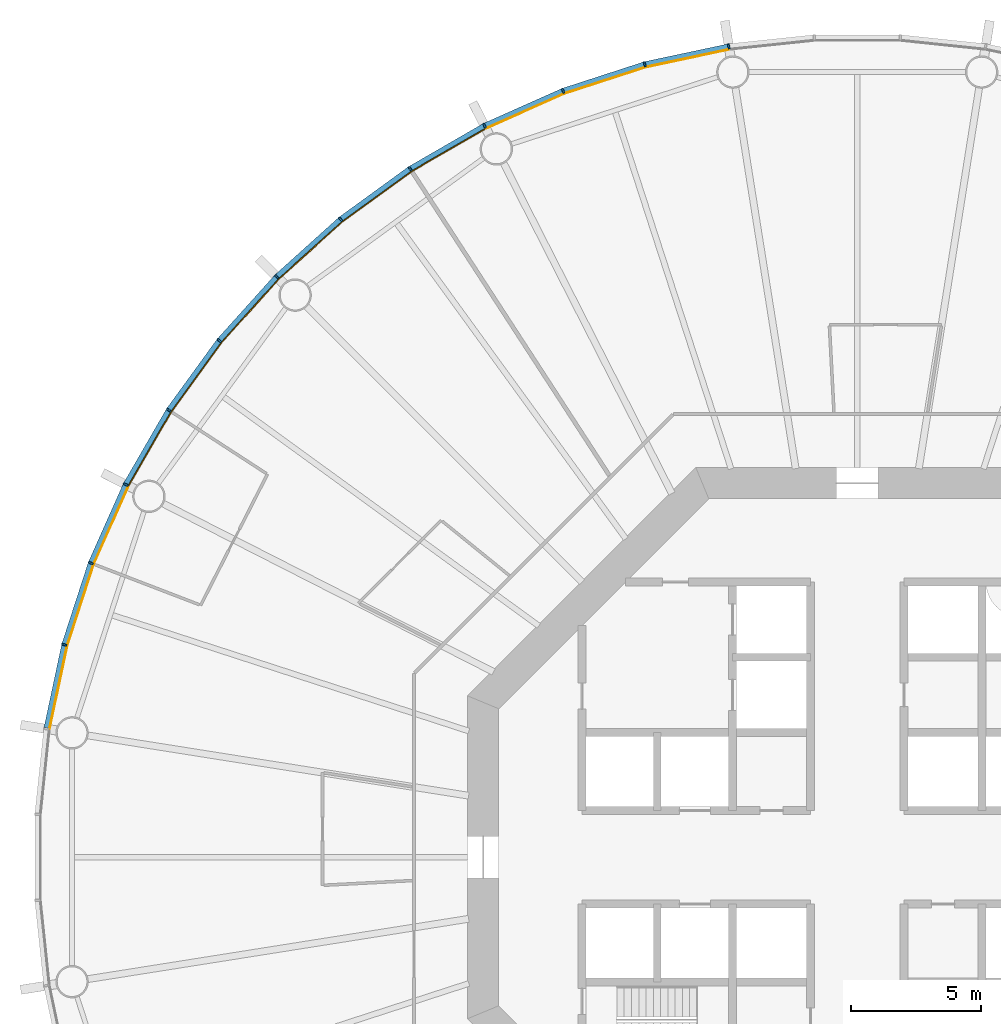
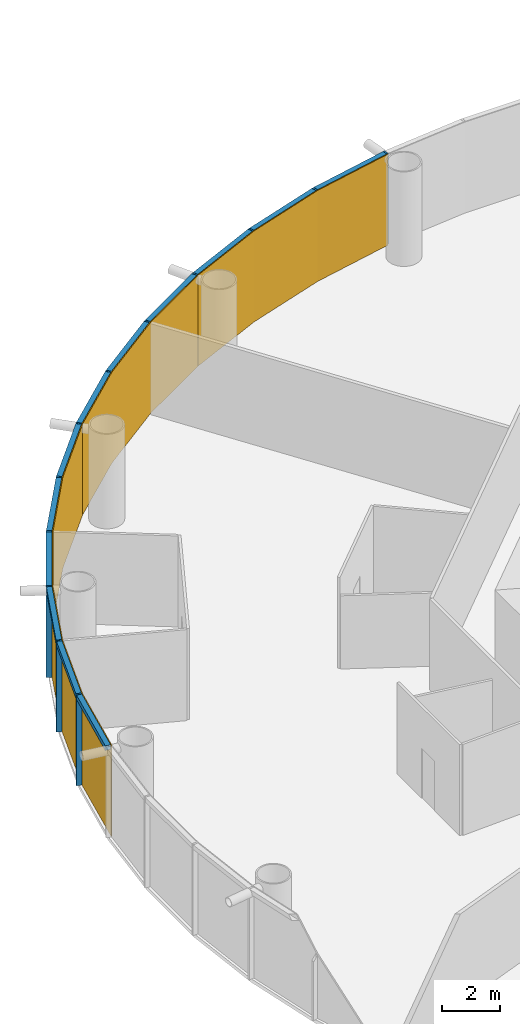
# One storey, part 10 of 13: 24 members, 4 curtain walls.
"""IFC4 building model written with IfcOpenShell, lengths in metres."""

import ifcopenshell
import ifcopenshell.guid

model = None  # the IFC model being written
_history = None  # IfcOwnerHistory: only IFC2X3 demands one
_inside = {}  # id of a spatial element -> (the spatial element, [elements in it])
_under = {}  # id of a project, library or spatial element -> (it, [spatial elements below it])
_declared = {}  # id of a project -> (the project, [libraries it declares])
_typed = {}  # id of a type object -> (the type object, [elements of that type])
_made_of = {}  # id of a material, layer set ... -> (it, [elements and type objects made of it])


def new_model(schema):
    """Start an empty IFC model of exactly this schema.

    Asked for "IFC4X3", IfcOpenShell would pick the latest addendum, in which some entities
    have other attributes; the version numbers below select the first issue.
    IFC2X3 requires an IfcOwnerHistory on every rooted entity: one is made here for all.
    """
    global model, _history
    if schema == "IFC4X3":
        model = ifcopenshell.file(schema_version=(4, 3, 0, 0))
    else:
        model = ifcopenshell.file(schema=schema)
    _inside.clear()
    _under.clear()
    _declared.clear()
    _typed.clear()
    _made_of.clear()
    _history = None
    if model.schema == "IFC2X3":
        org = make("IfcOrganization", Name="unknown")
        user = make(
            "IfcPersonAndOrganization",
            ThePerson=make("IfcPerson", FamilyName="unknown"),
            TheOrganization=org,
        )
        app = make(
            "IfcApplication",
            ApplicationDeveloper=org,
            Version="unknown",
            ApplicationFullName="unknown",
            ApplicationIdentifier="unknown",
        )
        _history = make(
            "IfcOwnerHistory",
            OwningUser=user,
            OwningApplication=app,
            ChangeAction="ADDED",
            CreationDate=0,
        )
    return model


def make(cls, **values):
    """One entity of the class cls with the attributes given. An attribute that is None is left unset."""
    return model.create_entity(
        cls, **{name: value for name, value in values.items() if value is not None}
    )


def rooted(cls, **values):
    """An entity with a GlobalId (a new one), such as an element, a storey or a relation."""
    return make(cls, GlobalId=ifcopenshell.guid.new(), OwnerHistory=_history, **values)


def si_unit(unit_type, name, prefix=None):
    """IfcSIUnit, for example si_unit("LENGTHUNIT", "METRE", prefix="MILLI")."""
    return make("IfcSIUnit", UnitType=unit_type, Prefix=prefix, Name=name)


def assignment(units):
    """IfcUnitAssignment: the units of a project."""
    return None if units is None else make("IfcUnitAssignment", Units=units)


def point(xyz):
    """IfcCartesianPoint."""
    return None if xyz is None else make("IfcCartesianPoint", Coordinates=xyz)


def direction(xyz):
    """IfcDirection."""
    return None if xyz is None else make("IfcDirection", DirectionRatios=xyz)


def frame(location, z_axis=None, x_axis=None):
    """IfcAxis2Placement3D, a coordinate frame: its origin and axes. An axis left out is left unset."""
    return make(
        "IfcAxis2Placement3D",
        Location=point(location),
        Axis=direction(z_axis),
        RefDirection=direction(x_axis),
    )


def frame_2d(location, x_axis=None):
    """IfcAxis2Placement2D, a coordinate frame in the plane: its origin and x axis."""
    return make(
        "IfcAxis2Placement2D", Location=point(location), RefDirection=direction(x_axis)
    )


def origin():
    """The frame at (0, 0, 0) with its axes left unset."""
    return frame((0.0, 0.0, 0.0))


def origin_2d():
    """The frame at (0, 0) in the plane with its x axis left unset."""
    return frame_2d((0.0, 0.0))


def place(relative_to, where):
    """IfcLocalPlacement: puts the frame where relative to a parent placement (None: the world)."""
    return make(
        "IfcLocalPlacement", PlacementRelTo=relative_to, RelativePlacement=where
    )


def context(
    kind, dimensions, precision=None, world=None, true_north=None, identifier=None
):
    """IfcGeometricRepresentationContext, for example the 3D "Model" context."""
    return make(
        "IfcGeometricRepresentationContext",
        ContextIdentifier=identifier,
        ContextType=kind,
        CoordinateSpaceDimension=dimensions,
        Precision=precision,
        WorldCoordinateSystem=world,
        TrueNorth=true_north,
    )


def subcontext(parent, identifier, kind, view, scale=None):
    """IfcGeometricRepresentationSubContext, for example "Body" below "Model"."""
    return make(
        "IfcGeometricRepresentationSubContext",
        ContextIdentifier=identifier,
        ContextType=kind,
        ParentContext=parent,
        TargetScale=scale,
        TargetView=view,
    )


def project(units=None, contexts=None):
    """IfcProject with its units and contexts."""
    return rooted(
        "IfcProject",
        Name="project",
        RepresentationContexts=contexts,
        UnitsInContext=assignment(units),
    )


def spatial(cls, under=None, at=None, **own):
    """A site, building, storey or space (cls), placed at a placement, below another one or the project."""
    s = rooted(cls, ObjectPlacement=at, **own)
    if under is not None:
        _under.setdefault(under.id(), (under, []))[1].append(s)
    return s


def polyline(points):
    """IfcPolyline through the points."""
    return make("IfcPolyline", Points=[point(p) for p in points])


def profile(cls, at=None, kind="AREA", **sizes):
    """A parametric profile (cls). Its sizes go by their IFC names, for example OverallWidth=200.0."""
    return make(cls, ProfileType=kind, Position=at, **sizes)


def rectangle(**sizes):
    """IfcRectangleProfileDef."""
    return profile("IfcRectangleProfileDef", **sizes)


def outline(outer, holes=None, kind="AREA"):
    """IfcArbitraryClosedProfileDef: a profile drawn as a closed curve; with holes, ...WithVoids."""
    if holes is None:
        return make("IfcArbitraryClosedProfileDef", ProfileType=kind, OuterCurve=outer)
    return make(
        "IfcArbitraryProfileDefWithVoids",
        ProfileType=kind,
        OuterCurve=outer,
        InnerCurves=holes,
    )


def extrude(swept, where, along, depth):
    """IfcExtrudedAreaSolid: the profile swept, set in the frame where, extruded along a direction by depth."""
    return make(
        "IfcExtrudedAreaSolid",
        SweptArea=swept,
        Position=where,
        ExtrudedDirection=direction(along),
        Depth=depth,
    )


def shape(context_of_items, identifier, shape_type, items):
    """IfcShapeRepresentation: the items that make up one representation, for example the "Body"."""
    return make(
        "IfcShapeRepresentation",
        ContextOfItems=context_of_items,
        RepresentationIdentifier=identifier,
        RepresentationType=shape_type,
        Items=items,
    )


def material(Name=None, Category=None):
    """IfcMaterial."""
    return make("IfcMaterial", Name=Name, Category=Category)


def layer(
    of_material, thickness, ventilated=None, Name=None, Category=None, Priority=None
):
    """IfcMaterialLayer: one layer of a wall or slab, of a material (None: an air gap)."""
    return make(
        "IfcMaterialLayer",
        Material=of_material,
        LayerThickness=thickness,
        IsVentilated=ventilated,
        Name=Name,
        Category=Category,
        Priority=Priority,
    )


def layer_set(layers, Name=None):
    """IfcMaterialLayerSet."""
    return make("IfcMaterialLayerSet", MaterialLayers=layers, LayerSetName=Name)


def material_profile(
    of_material, cross_section, Name=None, Category=None, Priority=None
):
    """IfcMaterialProfile: a cross section and its material."""
    return make(
        "IfcMaterialProfile",
        Name=Name,
        Material=of_material,
        Profile=cross_section,
        Priority=Priority,
        Category=Category,
    )


def profile_set(profiles, Name=None, composite=None):
    """IfcMaterialProfileSet."""
    return make(
        "IfcMaterialProfileSet",
        Name=Name,
        MaterialProfiles=profiles,
        CompositeProfile=composite,
    )


def made_of(thing, what):
    """Note that an element or type object is made of a material, layer set ...; save() writes the relation."""
    if what is not None:
        _made_of.setdefault(what.id(), (what, []))[1].append(thing)
    return thing


def type_object(cls, material=None, **own):
    """A type object (cls), such as IfcWallType, which elements share."""
    return made_of(rooted(cls, **own), material)


def element(
    cls,
    number,
    at=None,
    inside=None,
    cuts=None,
    type_object=None,
    material=None,
    context=None,
    identifier="Body",
    shape_type=None,
    held_by="IfcProductDefinitionShape",
    body=None,
    shapes=None,
    **own,
):
    """One element of the class cls, such as IfcWall. Its Tag is "e" and its number.

    at: its placement. inside: the storey or other place that contains it. cuts: it is an
    opening in that element (IfcRelVoidsElement). A single representation is given by context,
    identifier, shape_type and body (its items); several are given by shapes. held_by: the class
    of the entity that holds the representations. save() writes the other relations.
    """
    e = rooted(cls, Tag="e%d" % number, ObjectPlacement=at, **own)
    if body is not None:
        shapes = [shape(context, identifier, shape_type, body)]
    if shapes is not None:
        e.Representation = make(held_by, Representations=shapes)
    if inside is not None:
        _inside.setdefault(inside.id(), (inside, []))[1].append(e)
    if cuts is not None:
        rooted(
            "IfcRelVoidsElement", RelatingBuildingElement=cuts, RelatedOpeningElement=e
        )
    if type_object is not None:
        _typed.setdefault(type_object.id(), (type_object, []))[1].append(e)
    return made_of(e, material)


def aggregate(whole, parts):
    """IfcRelAggregates: a whole, such as a stair, and the parts it consists of."""
    return rooted("IfcRelAggregates", RelatingObject=whole, RelatedObjects=parts)


def save(model, path):
    """Write the relations noted so far, then the file.

    IfcRelAggregates (storeys below a building ...), IfcRelContainedInSpatialStructure (elements
    in a storey), IfcRelDefinesByType, IfcRelAssociatesMaterial and IfcRelDeclares: one each for
    every whole, place, type object, material and project.
    """
    for whole, parts in _under.values():
        aggregate(whole, parts)
    for where, things in _inside.values():
        rooted(
            "IfcRelContainedInSpatialStructure",
            RelatedElements=things,
            RelatingStructure=where,
        )
    for kind, things in _typed.values():
        rooted("IfcRelDefinesByType", RelatedObjects=things, RelatingType=kind)
    for what, things in _made_of.values():
        rooted("IfcRelAssociatesMaterial", RelatedObjects=things, RelatingMaterial=what)
    for by, libraries in _declared.values():
        rooted("IfcRelDeclares", RelatingContext=by, RelatedDefinitions=libraries)
    model.write(path)


model = new_model("IFC4")

# Units and contexts
model_context = context("Model", 3, precision=1e-05, world=origin(), true_north=direction((0.0, 1.0)))
body_context = subcontext(model_context, "Body", "Model", "MODEL_VIEW")
ifc_project = project(units=[si_unit("LENGTHUNIT", "METRE"), si_unit("AREAUNIT", "SQUARE_METRE"), si_unit("VOLUMEUNIT", "CUBIC_METRE"), si_unit("PLANEANGLEUNIT", "RADIAN"), si_unit("MASSUNIT", "GRAM", prefix="KILO")], contexts=[model_context])

# Member
ifc_material_1 = material(Name="Anodised aluminium", Category="aluminium")
ifc_material_profile_1 = material_profile(ifc_material_1, rectangle(XDim=0.070068359375, YDim=0.199951171875, at=origin_2d()), Name="Mullion 70 x 200 mm anodised aluminium")
ifc_profile_set_1 = profile_set([ifc_material_profile_1], Name="Anodised aluminium")
member_type_1 = type_object("IfcMemberType", Name="Mullion 70 x 200 mm anodised aluminium", PredefinedType="MULLION", material=ifc_profile_set_1)
site_placement = place(None, origin())
building_placement = place(site_placement, origin())
storey_placement = place(building_placement, frame((0.0, 0.0, 112.0)))
member_1_placement = place(storey_placement, frame((85.056640625, 111.2109375, 0.0), z_axis=(0.0, 0.0, 1.0), x_axis=(-0.987688340595, -0.15643446504, 0.0)))
member_1 = element("IfcMember", 1, at=member_1_placement, type_object=member_type_1, Name="MULLION L25-15", PredefinedType="MULLION", context=body_context, shape_type="SweptSolid", body=[
    extrude(rectangle(XDim=0.070068359375, YDim=0.199951171875, at=origin_2d()), origin(), (0.0, 0.0, 1.0), 3.85009765625),
])

member_2_placement = place(storey_placement, frame((81.8212890625, 110.523193359375, 0.0), z_axis=(0.0, 0.0, 1.0), x_axis=(-0.965925826289, -0.258819045103, 0.0)))
member_2 = element("IfcMember", 2, at=member_2_placement, type_object=member_type_1, Name="MULLION L25-16", PredefinedType="MULLION", context=body_context, shape_type="SweptSolid", body=[
    extrude(rectangle(XDim=0.070068359375, YDim=0.199951171875, at=origin_2d()), origin(), (0.0, 0.0, 1.0), 3.85009765625),
])

member_3_placement = place(storey_placement, frame((78.675537109375, 109.501220703125, 0.0), z_axis=(0.0, 0.0, 1.0), x_axis=(-0.933580426497, -0.358367949545, 0.0)))
member_3 = element("IfcMember", 3, at=member_3_placement, type_object=member_type_1, Name="MULLION L25-17", PredefinedType="MULLION", context=body_context, shape_type="SweptSolid", body=[
    extrude(rectangle(XDim=0.070068359375, YDim=0.199951171875, at=origin_2d()), origin(), (0.0, 0.0, 1.0), 3.85009765625),
])

member_4_placement = place(storey_placement, frame((75.65380859375, 108.15576171875, 0.0), z_axis=(0.0, 0.0, 1.0), x_axis=(-0.891006524188, -0.45399049974, 0.0)))
member_4 = element("IfcMember", 4, at=member_4_placement, type_object=member_type_1, Name="MULLION L25-18", PredefinedType="MULLION", context=body_context, shape_type="SweptSolid", body=[
    extrude(rectangle(XDim=0.070068359375, YDim=0.199951171875, at=origin_2d()), origin(), (0.0, 0.0, 1.0), 3.85009765625),
])

member_5_placement = place(storey_placement, frame((72.789306640625, 106.501953125, 0.0), z_axis=(0.0, 0.0, 1.0), x_axis=(-0.838670567945, -0.544639035015, 0.0)))
member_5 = element("IfcMember", 5, at=member_5_placement, type_object=member_type_1, Name="MULLION L25-19", PredefinedType="MULLION", context=body_context, shape_type="SweptSolid", body=[
    extrude(rectangle(XDim=0.070068359375, YDim=0.199951171875, at=origin_2d()), origin(), (0.0, 0.0, 1.0), 3.85009765625),
])

member_6_placement = place(storey_placement, frame((70.113525390625, 104.557861328125, 0.0), z_axis=(0.0, 0.0, 1.0), x_axis=(-0.777145961457, -0.62932039105, 0.0)))
member_6 = element("IfcMember", 6, at=member_6_placement, type_object=member_type_1, Name="MULLION L25-20", PredefinedType="MULLION", context=body_context, shape_type="SweptSolid", body=[
    extrude(rectangle(XDim=0.070068359375, YDim=0.199951171875, at=origin_2d()), origin(), (0.0, 0.0, 1.0), 3.85009765625),
])

member_7_placement = place(storey_placement, frame((67.655517578125, 102.344482421875, 0.0), z_axis=(0.0, 0.0, 1.0), x_axis=(-0.707106781187, -0.707106781187, 0.0)))
member_7 = element("IfcMember", 7, at=member_7_placement, type_object=member_type_1, Name="MULLION L25-21", PredefinedType="MULLION", context=body_context, shape_type="SweptSolid", body=[
    extrude(rectangle(XDim=0.070068359375, YDim=0.199951171875, at=origin_2d()), origin(), (0.0, 0.0, 1.0), 3.85009765625),
])

member_8_placement = place(storey_placement, frame((65.442138671875, 99.886474609375, 0.0), z_axis=(0.0, 0.0, 1.0), x_axis=(-0.62932039105, -0.777145961457, 0.0)))
member_8 = element("IfcMember", 8, at=member_8_placement, type_object=member_type_1, Name="MULLION L25-22", PredefinedType="MULLION", context=body_context, shape_type="SweptSolid", body=[
    extrude(rectangle(XDim=0.070068359375, YDim=0.199951171875, at=origin_2d()), origin(), (0.0, 0.0, 1.0), 3.85009765625),
])

member_9_placement = place(storey_placement, frame((63.498046875, 97.210693359375, 0.0), z_axis=(0.0, 0.0, 1.0), x_axis=(-0.544639035015, -0.838670567945, 0.0)))
member_9 = element("IfcMember", 9, at=member_9_placement, type_object=member_type_1, Name="MULLION L25-23", PredefinedType="MULLION", context=body_context, shape_type="SweptSolid", body=[
    extrude(rectangle(XDim=0.070068359375, YDim=0.199951171875, at=origin_2d()), origin(), (0.0, 0.0, 1.0), 3.85009765625),
])

member_10_placement = place(storey_placement, frame((61.84423828125, 94.34619140625, 0.0), z_axis=(0.0, 0.0, 1.0), x_axis=(-0.45399049974, -0.891006524188, 0.0)))
member_10 = element("IfcMember", 10, at=member_10_placement, type_object=member_type_1, Name="MULLION L25-24", PredefinedType="MULLION", context=body_context, shape_type="SweptSolid", body=[
    extrude(rectangle(XDim=0.070068359375, YDim=0.199951171875, at=origin_2d()), origin(), (0.0, 0.0, 1.0), 3.85009765625),
])

member_11_placement = place(storey_placement, frame((60.498779296875, 91.324462890625, 0.0), z_axis=(0.0, 0.0, 1.0), x_axis=(-0.358367949545, -0.933580426497, 0.0)))
member_11 = element("IfcMember", 11, at=member_11_placement, type_object=member_type_1, Name="MULLION L25-25", PredefinedType="MULLION", context=body_context, shape_type="SweptSolid", body=[
    extrude(rectangle(XDim=0.070068359375, YDim=0.199951171875, at=origin_2d()), origin(), (0.0, 0.0, 1.0), 3.85009765625),
])

member_12_placement = place(storey_placement, frame((59.476806640625, 88.1787109375, 0.0), z_axis=(0.0, 0.0, 1.0), x_axis=(-0.258819045103, -0.965925826289, 0.0)))
member_12 = element("IfcMember", 12, at=member_12_placement, type_object=member_type_1, Name="MULLION L25-26", PredefinedType="MULLION", context=body_context, shape_type="SweptSolid", body=[
    extrude(rectangle(XDim=0.070068359375, YDim=0.199951171875, at=origin_2d()), origin(), (0.0, 0.0, 1.0), 3.85009765625),
])

ifc_material_2 = material(Name="Anodised aluminium", Category="aluminium")
ifc_material_profile_2 = material_profile(ifc_material_2, rectangle(XDim=0.199951171875, YDim=0.18994140625, at=origin_2d()), Name="Transom 190 x 200 mm anodised aluminium")
ifc_profile_set_2 = profile_set([ifc_material_profile_2], Name="Anodised aluminium")
member_type_2 = type_object("IfcMemberType", Name="Transom 190 x 200 mm anodised aluminium", PredefinedType="USERDEFINED", material=ifc_profile_set_2)
member_13_placement = place(storey_placement, frame((85.017333984375, 111.20263671875, 3.7548828125), z_axis=(-0.978153082647, -0.207885898771, 0.0), x_axis=(0.207885898771, -0.978153082647, 0.0)))
member_13 = element("IfcMember", 13, at=member_13_placement, type_object=member_type_2, Name="TRANSOM L25-15", ObjectType="TRANSOM", PredefinedType="USERDEFINED", context=body_context, shape_type="SweptSolid", body=[
    extrude(rectangle(XDim=0.199951171875, YDim=0.18994140625, at=origin_2d()), origin(), (0.0, 0.0, 1.0), 3.227294921875),
])

member_14_placement = place(storey_placement, frame((81.782958984375, 110.510986328125, 3.7548828125), z_axis=(-0.951046855117, -0.309046726844, 0.0), x_axis=(0.309046726844, -0.951046855117, 0.0)))
member_14 = element("IfcMember", 14, at=member_14_placement, type_object=member_type_2, Name="TRANSOM L25-16", ObjectType="TRANSOM", PredefinedType="USERDEFINED", context=body_context, shape_type="SweptSolid", body=[
    extrude(rectangle(XDim=0.199951171875, YDim=0.18994140625, at=origin_2d()), origin(), (0.0, 0.0, 1.0), 3.22705078125),
])

member_15_placement = place(storey_placement, frame((78.638671875, 109.48486328125, 3.7548828125), z_axis=(-0.913549291349, -0.406728032322, 0.0), x_axis=(0.406728032322, -0.913549291349, 0.0)))
member_15 = element("IfcMember", 15, at=member_15_placement, type_object=member_type_2, Name="TRANSOM L25-17", ObjectType="TRANSOM", PredefinedType="USERDEFINED", context=body_context, shape_type="SweptSolid", body=[
    extrude(rectangle(XDim=0.199951171875, YDim=0.18994140625, at=origin_2d()), origin(), (0.0, 0.0, 1.0), 3.22705078125),
])

member_16_placement = place(storey_placement, frame((75.618896484375, 108.1357421875, 3.7548828125), z_axis=(-0.866023062494, -0.500004055213, 0.0), x_axis=(0.500004055213, -0.866023062494, 0.0)))
member_16 = element("IfcMember", 16, at=member_16_placement, type_object=member_type_2, Name="TRANSOM L25-18", ObjectType="TRANSOM", PredefinedType="USERDEFINED", context=body_context, shape_type="SweptSolid", body=[
    extrude(rectangle(XDim=0.199951171875, YDim=0.18994140625, at=origin_2d()), origin(), (0.0, 0.0, 1.0), 3.22705078125),
])

member_17_placement = place(storey_placement, frame((72.7568359375, 106.478515625, 3.7548828125), z_axis=(-0.809004252048, -0.587802790201, 0.0), x_axis=(0.587802790201, -0.809004252048, 0.0)))
member_17 = element("IfcMember", 17, at=member_17_placement, type_object=member_type_2, Name="TRANSOM L25-19", ObjectType="TRANSOM", PredefinedType="USERDEFINED", context=body_context, shape_type="SweptSolid", body=[
    extrude(rectangle(XDim=0.199951171875, YDim=0.18994140625, at=origin_2d()), origin(), (0.0, 0.0, 1.0), 3.227294921875),
])

member_18_placement = place(storey_placement, frame((70.08349609375, 104.531005859375, 3.7548828125), z_axis=(-0.743132370743, -0.669144438484, 0.0), x_axis=(0.669144438484, -0.743132370743, 0.0)))
member_18 = element("IfcMember", 18, at=member_18_placement, type_object=member_type_2, Name="TRANSOM L25-20", ObjectType="TRANSOM", PredefinedType="USERDEFINED", context=body_context, shape_type="SweptSolid", body=[
    extrude(rectangle(XDim=0.199951171875, YDim=0.18994140625, at=origin_2d()), origin(), (0.0, 0.0, 1.0), 3.22705078125),
])

member_19_placement = place(storey_placement, frame((67.62841796875, 102.314697265625, 3.7548828125), z_axis=(-0.669144438484, -0.743132370743, 0.0), x_axis=(0.743132370743, -0.669144438484, 0.0)))
member_19 = element("IfcMember", 19, at=member_19_placement, type_object=member_type_2, Name="TRANSOM L25-21", ObjectType="TRANSOM", PredefinedType="USERDEFINED", context=body_context, shape_type="SweptSolid", body=[
    extrude(rectangle(XDim=0.199951171875, YDim=0.18994140625, at=origin_2d()), origin(), (0.0, 0.0, 1.0), 3.22705078125),
])

member_20_placement = place(storey_placement, frame((65.41845703125, 99.85400390625, 3.7548828125), z_axis=(-0.587802790201, -0.809004252048, 0.0), x_axis=(0.809004252048, -0.587802790201, 0.0)))
member_20 = element("IfcMember", 20, at=member_20_placement, type_object=member_type_2, Name="TRANSOM L25-22", ObjectType="TRANSOM", PredefinedType="USERDEFINED", context=body_context, shape_type="SweptSolid", body=[
    extrude(rectangle(XDim=0.199951171875, YDim=0.18994140625, at=origin_2d()), origin(), (0.0, 0.0, 1.0), 3.227294921875),
])

member_21_placement = place(storey_placement, frame((63.477783203125, 97.17578125, 3.7548828125), z_axis=(-0.500004055213, -0.866023062494, 0.0), x_axis=(0.866023062494, -0.500004055213, 0.0)))
member_21 = element("IfcMember", 21, at=member_21_placement, type_object=member_type_2, Name="TRANSOM L25-23", ObjectType="TRANSOM", PredefinedType="USERDEFINED", context=body_context, shape_type="SweptSolid", body=[
    extrude(rectangle(XDim=0.199951171875, YDim=0.18994140625, at=origin_2d()), origin(), (0.0, 0.0, 1.0), 3.22705078125),
])

member_22_placement = place(storey_placement, frame((61.82763671875, 94.309326171875, 3.7548828125), z_axis=(-0.406728032322, -0.913549291349, 0.0), x_axis=(0.913549291349, -0.406728032322, 0.0)))
member_22 = element("IfcMember", 22, at=member_22_placement, type_object=member_type_2, Name="TRANSOM L25-24", ObjectType="TRANSOM", PredefinedType="USERDEFINED", context=body_context, shape_type="SweptSolid", body=[
    extrude(rectangle(XDim=0.199951171875, YDim=0.18994140625, at=origin_2d()), origin(), (0.0, 0.0, 1.0), 3.22705078125),
])

member_23_placement = place(storey_placement, frame((60.486328125, 91.2861328125, 3.7548828125), z_axis=(-0.309046726844, -0.951046855117, 0.0), x_axis=(0.951046855117, -0.309046726844, 0.0)))
member_23 = element("IfcMember", 23, at=member_23_placement, type_object=member_type_2, Name="TRANSOM L25-25", ObjectType="TRANSOM", PredefinedType="USERDEFINED", context=body_context, shape_type="SweptSolid", body=[
    extrude(rectangle(XDim=0.199951171875, YDim=0.18994140625, at=origin_2d()), origin(), (0.0, 0.0, 1.0), 3.22705078125),
])

member_24_placement = place(storey_placement, frame((59.46826171875, 88.139404296875, 3.7548828125), z_axis=(-0.207885898771, -0.978153082647, 0.0), x_axis=(0.978153082647, -0.207885898771, 0.0)))
member_24 = element("IfcMember", 24, at=member_24_placement, type_object=member_type_2, Name="TRANSOM L25-26", ObjectType="TRANSOM", PredefinedType="USERDEFINED", context=body_context, shape_type="SweptSolid", body=[
    extrude(rectangle(XDim=0.199951171875, YDim=0.18994140625, at=origin_2d()), origin(), (0.0, 0.0, 1.0), 3.227294921875),
])

# Site, building, storey
site = spatial("IfcSite", under=ifc_project, at=site_placement, CompositionType="ELEMENT")
building = spatial("IfcBuilding", under=site, at=building_placement, Name="Entoto Ring Tower", CompositionType="ELEMENT")
storey = spatial("IfcBuildingStorey", under=building, at=storey_placement, Name="L25", CompositionType="ELEMENT", Elevation=112.0)

# Curtain wall
ifc_material_3 = material(Name="Clear low-iron glass", Category="glass")
ifc_layer = layer(ifc_material_3, 0.035888671875)
ifc_layer_set = layer_set([ifc_layer], Name="Clear low-iron glass")
curtain_wall_type = type_object("IfcCurtainWallType", Name="Curtain wall system CW2 glazing 36 mm", PredefinedType="NOTDEFINED", material=ifc_layer_set)
curtain_wall_1_placement = place(storey_placement, origin())
curtain_wall_1 = element("IfcCurtainWall", 25, at=curtain_wall_1_placement, inside=storey, type_object=curtain_wall_type, Name="CW2 L25-06", PredefinedType="NOTDEFINED", context=body_context, shape_type="SweptSolid", body=[
    extrude(outline(polyline([(85.072265625, 111.1123046875), (81.84716796875, 110.4267578125), (78.71142578125, 109.40771484375), (75.69921875, 108.066650390625), (75.715576171875, 108.03466796875), (78.724365234375, 109.3740234375), (81.8564453125, 110.391845703125), (85.077880859375, 111.07666015625), (85.072265625, 111.1123046875)])), origin(), (0.0, 0.0, 1.0), 3.85009765625),
])

aggregate(curtain_wall_1, [member_1, member_2, member_3, member_13, member_14, member_15])

curtain_wall_2_placement = place(storey_placement, origin())
curtain_wall_2 = element("IfcCurtainWall", 26, at=curtain_wall_2_placement, inside=storey, type_object=curtain_wall_type, Name="CW2 L25-07", PredefinedType="NOTDEFINED", context=body_context, shape_type="SweptSolid", body=[
    extrude(outline(polyline([(75.69921875, 108.066650390625), (72.84375, 106.418212890625), (70.176513671875, 104.47998046875), (67.72607421875, 102.27392578125), (67.751708984375, 102.248291015625), (70.198974609375, 104.4521484375), (72.863525390625, 106.387939453125), (75.715576171875, 108.03466796875), (75.69921875, 108.066650390625)])), origin(), (0.0, 0.0, 1.0), 3.85009765625),
])

aggregate(curtain_wall_2, [member_4, member_5, member_6, member_16, member_17, member_18])

curtain_wall_3_placement = place(storey_placement, origin())
curtain_wall_3 = element("IfcCurtainWall", 27, at=curtain_wall_3_placement, inside=storey, type_object=curtain_wall_type, Name="CW2 L25-08", PredefinedType="NOTDEFINED", context=body_context, shape_type="SweptSolid", body=[
    extrude(outline(polyline([(67.72607421875, 102.27392578125), (65.52001953125, 99.823486328125), (63.581787109375, 97.15625), (61.933349609375, 94.30078125), (61.96533203125, 94.284423828125), (63.612060546875, 97.136474609375), (65.5478515625, 99.801025390625), (67.751708984375, 102.248291015625), (67.72607421875, 102.27392578125)])), origin(), (0.0, 0.0, 1.0), 3.85009765625),
])

aggregate(curtain_wall_3, [member_7, member_8, member_9, member_19, member_20, member_21])

curtain_wall_4_placement = place(storey_placement, origin())
curtain_wall_4 = element("IfcCurtainWall", 28, at=curtain_wall_4_placement, inside=storey, type_object=curtain_wall_type, Name="CW2 L25-09", PredefinedType="NOTDEFINED", context=body_context, shape_type="SweptSolid", body=[
    extrude(outline(polyline([(61.933349609375, 94.30078125), (60.59228515625, 91.28857421875), (59.5732421875, 88.15283203125), (58.8876953125, 84.927734375), (58.92333984375, 84.922119140625), (59.608154296875, 88.1435546875), (60.6259765625, 91.275634765625), (61.96533203125, 94.284423828125), (61.933349609375, 94.30078125)])), origin(), (0.0, 0.0, 1.0), 3.85009765625),
])

aggregate(curtain_wall_4, [member_10, member_11, member_12, member_22, member_23, member_24])

save(model, "model.ifc")
